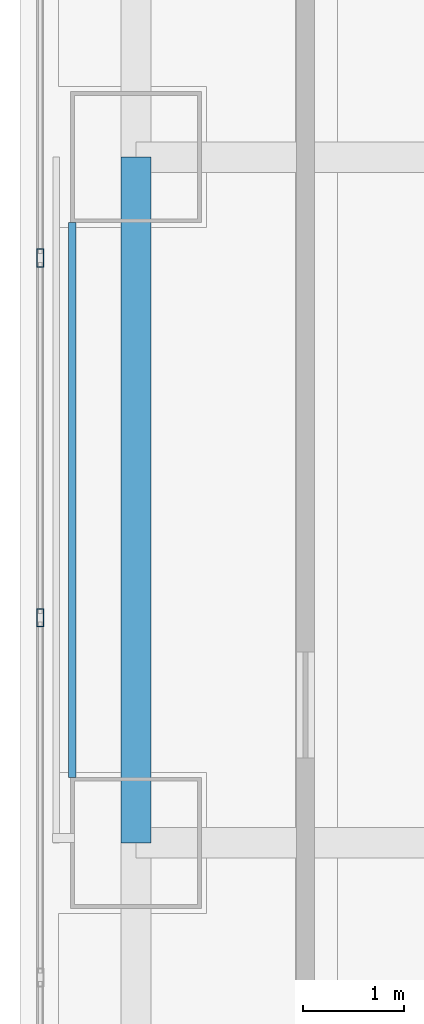
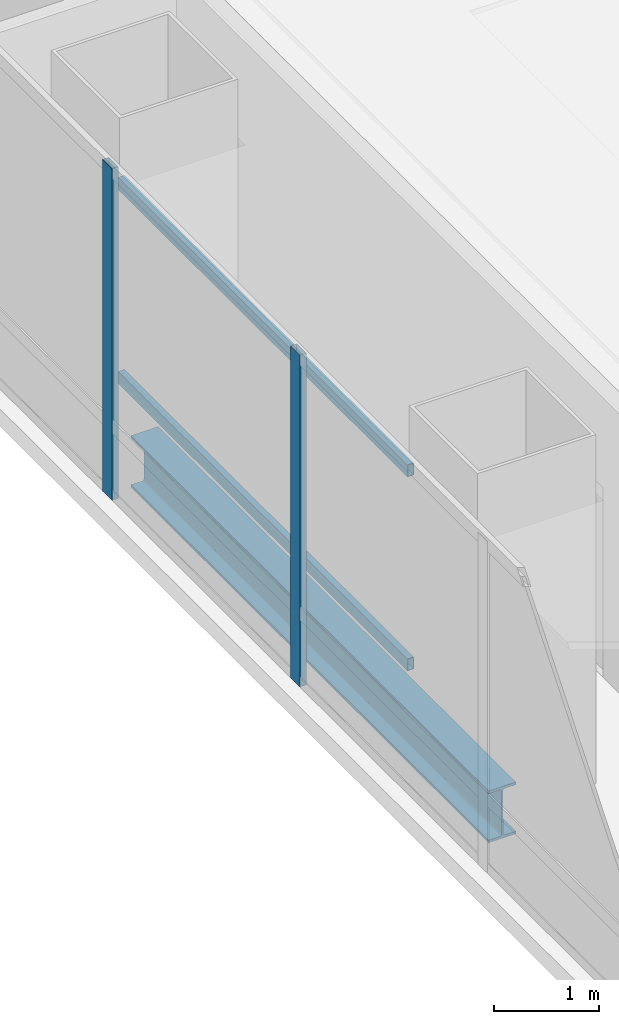
# One storey, part 10 of 42: 4 members, 1 beam, 1 element without a shape of its own.
"""IFC4 building model written with IfcOpenShell, lengths in metres."""

from ifc_helpers import new_model, si_unit, direction, frame, origin, origin_2d, place, context, subcontext, project, spatial, hollow_rectangle, i_section, extrude, material, material_profile, profile_set, type_object, element, aggregate, save


model = new_model("IFC4")

# Units and contexts
model_context = context("Model", 3, precision=1e-05, world=origin(), true_north=direction((0.0, 1.0)))
body_context = subcontext(model_context, "Body", "Model", "MODEL_VIEW")
ifc_project = project(units=[si_unit("LENGTHUNIT", "METRE"), si_unit("AREAUNIT", "SQUARE_METRE"), si_unit("VOLUMEUNIT", "CUBIC_METRE"), si_unit("PLANEANGLEUNIT", "RADIAN"), si_unit("MASSUNIT", "GRAM", prefix="KILO")], contexts=[model_context])

# Site, building, storey
site_placement = place(None, origin())
site = spatial("IfcSite", under=ifc_project, at=site_placement, CompositionType="ELEMENT")
building_placement = place(site_placement, origin())
building = spatial("IfcBuilding", under=site, at=building_placement, Name="Punatoya Terracotta Tower", CompositionType="ELEMENT")
storey_placement = place(building_placement, frame((0.0, 0.0, 259.5)))
storey = spatial("IfcBuildingStorey", under=building, at=storey_placement, Name="L61", CompositionType="ELEMENT", Elevation=259.5)

# Beam
ifc_material_1 = material(Name="Steel S355", Category="steel")
ifc_material_profile_1 = material_profile(ifc_material_1, i_section(OverallWidth=0.300048828125, OverallDepth=0.60009765625, WebThickness=0.015380859375, FlangeThickness=0.030029296875, FilletRadius=0.01806640625, at=origin_2d()))
ifc_profile_set_1 = profile_set([ifc_material_profile_1], Name="Steel S355")
beam_type = type_object("IfcBeamType", Name="BM-PRI-600", PredefinedType="BEAM", material=ifc_profile_set_1)
beam_placement = place(storey_placement, frame((-19.10009765625, -3.39990234375, -0.5), z_axis=(0.0, 1.0, 0.0), x_axis=(-1.0, 0.0, 0.0)))
element("IfcBeam", 1, at=beam_placement, inside=storey, type_object=beam_type, Name="BM-L61-RG-W2", PredefinedType="BEAM", context=body_context, shape_type="SweptSolid", body=[
    extrude(i_section(OverallWidth=0.300048828125, OverallDepth=0.60009765625, WebThickness=0.015380859375, FlangeThickness=0.030029296875, FilletRadius=0.01806640625, at=origin_2d()), origin(), (0.0, 0.0, 1.0), 6.7998046875),
])

# Curtain wall, members
ifc_material_2 = material(Name="Aluminium 6063-T6 + Double Low-E Glass", Category="aluminium")
curtain_wall_type = type_object("IfcCurtainWallType", Name="CW-M3", PredefinedType="NOTDEFINED", material=ifc_material_2)
curtain_wall_placement = place(storey_placement, origin())
curtain_wall = element("IfcCurtainWall", 2, at=curtain_wall_placement, inside=storey, type_object=curtain_wall_type, Name="L61 Curtain Wall CW-L61-W13-1", PredefinedType="NOTDEFINED")
ifc_material_3 = material(Name="Aluminium 6063-T6", Category="aluminium")
ifc_material_profile_2 = material_profile(ifc_material_3, hollow_rectangle(XDim=0.070068359375, YDim=0.179931640625, WallThickness=0.00390625, at=origin_2d()))
ifc_profile_set_2 = profile_set([ifc_material_profile_2], Name="Aluminium 6063-T6")
member_type_1 = type_object("IfcMemberType", Name="CW-MUL-M3", PredefinedType="MULLION", material=ifc_profile_set_2)
member_1_placement = place(storey_placement, frame((-20.050048828125, 2.39990234375, 0.0), z_axis=(0.0, 0.0, 1.0), x_axis=(1.0, 0.0, 0.0)))
member_1 = element("IfcMember", 3, at=member_1_placement, type_object=member_type_1, Name="CW-L61-W13-1 Mullion 05", PredefinedType="MULLION", context=body_context, shape_type="SweptSolid", body=[
    extrude(hollow_rectangle(XDim=0.070068359375, YDim=0.179931640625, WallThickness=0.00390625, at=origin_2d()), origin(), (0.0, 0.0, 1.0), 3.85009765625),
])
member_2_placement = place(storey_placement, frame((-20.050048828125, -1.16748046875, 0.0), z_axis=(0.0, 0.0, 1.0), x_axis=(1.0, 0.0, 0.0)))
member_2 = element("IfcMember", 4, at=member_2_placement, type_object=member_type_1, Name="CW-L61-W13-1 Mullion 06", PredefinedType="MULLION", context=body_context, shape_type="SweptSolid", body=[
    extrude(hollow_rectangle(XDim=0.070068359375, YDim=0.179931640625, WallThickness=0.00390625, at=origin_2d()), origin(), (0.0, 0.0, 1.0), 3.85009765625),
])
aggregate(curtain_wall, [member_1, member_2])

# Members
ifc_material_profile_3 = material_profile(ifc_material_1, hollow_rectangle(XDim=0.070068359375, YDim=0.139892578125, WallThickness=0.006103515625, at=origin_2d()))
ifc_profile_set_3 = profile_set([ifc_material_profile_3], Name="Steel S355")
member_type_2 = type_object("IfcMemberType", Name="MEM-BAG-RAIL", PredefinedType="USERDEFINED", material=ifc_profile_set_3)
for number, where, z_axis, x_axis, name in (
    (5, (-19.73193359375, -2.75048828125, 1.050048828125), (0.0, 1.0, 0.0), (-1.0, 0.0, 0.0), "L61 Terracotta Baguette Carrier Rail BAG-L61-W-R1"),
    (6, (-19.73193359375, -2.75048828125, 3.300048828125), (0.0, 1.0, 0.0), (-1.0, 0.0, 0.0), "L61 Terracotta Baguette Carrier Rail BAG-L61-W-R2"),
):
    element("IfcMember", number, at=place(storey_placement, frame(where, z_axis=z_axis, x_axis=x_axis)), inside=storey, type_object=member_type_2, Name=name, ObjectType="BAGUETTE", PredefinedType="USERDEFINED", context=body_context, shape_type="SweptSolid", body=[
        extrude(hollow_rectangle(XDim=0.070068359375, YDim=0.139892578125, WallThickness=0.006103515625, at=origin_2d()), origin(), (0.0, 0.0, 1.0), 5.5009765625),
    ])

save(model, "model.ifc")
